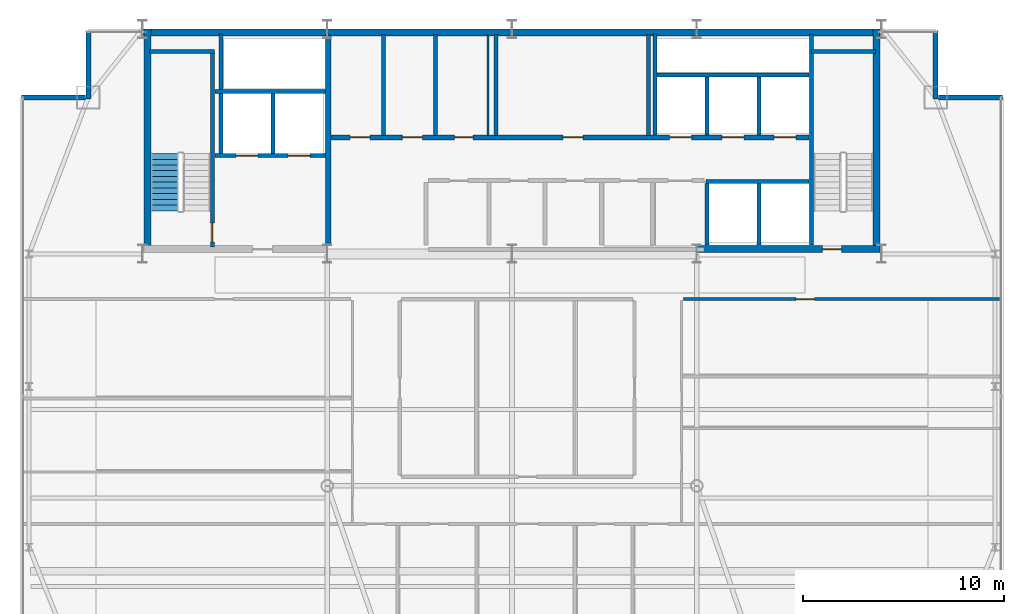
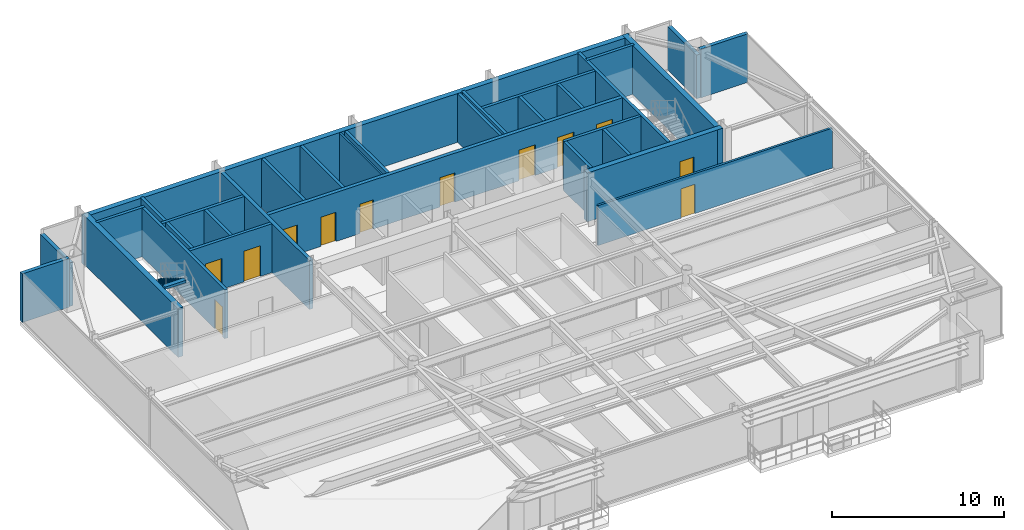
# One storey, part 25 of 28: 31 walls, 12 doors, 1 stair flight, 12 openings, 1 element without a shape of its own.
"""IFC4 building model written with IfcOpenShell, lengths in metres."""

from ifc_helpers import new_model, si_unit, direction, frame, frame_2d, origin, place, context, subcontext, project, spatial, polyline, rectangle, outline, extrude, source, transform, mapped, material, layer, layer_set, type_object, type_shapes, element, fill, aggregate, save


model = new_model("IFC4")

# Units and contexts
model_context = context("Model", 3, precision=1e-05, world=origin(), true_north=direction((0.0, 1.0)))
body_context = subcontext(model_context, "Body", "Model", "MODEL_VIEW")
ifc_project = project(units=[si_unit("LENGTHUNIT", "METRE"), si_unit("AREAUNIT", "SQUARE_METRE"), si_unit("VOLUMEUNIT", "CUBIC_METRE"), si_unit("PLANEANGLEUNIT", "RADIAN"), si_unit("MASSUNIT", "GRAM", prefix="KILO")], contexts=[model_context])

# Site, building, storey
site_placement = place(None, origin())
site = spatial("IfcSite", under=ifc_project, at=site_placement, CompositionType="ELEMENT")
building_placement = place(site_placement, origin())
building = spatial("IfcBuilding", under=site, at=building_placement, Name="Varnel Quay Broadcast Tower", CompositionType="ELEMENT")
storey_placement = place(building_placement, frame((0.0, 0.0, 230.199951171875)))
storey = spatial("IfcBuildingStorey", under=building, at=storey_placement, Name="L57", CompositionType="ELEMENT", Elevation=230.199951171875)

# Wall, opening, door
ifc_material_1 = material(Name="Concrete CSA A23.3 C50/60", Category="concrete")
ifc_layer_1 = layer(ifc_material_1, 0.199951171875, Name="Concrete CSA A23.3 C50/60")
ifc_layer_set_1 = layer_set([ifc_layer_1], Name="Concrete CSA A23.3 C50/60")
wall_type_1 = type_object("IfcWallType", Name="Wall_CoreShaftShear200", PredefinedType="SHEAR", material=ifc_layer_set_1)
wall_1_placement = place(storey_placement, frame((19.080078125, 35.949951171875, 0.0), z_axis=(0.0, 0.0, 1.0), x_axis=(0.0, 1.0, 0.0)))
wall_1 = element("IfcWall", 1, at=wall_1_placement, inside=storey, type_object=wall_type_1, Name="L57 Stair 1 East Structural Wall", PredefinedType="SHEAR", context=body_context, shape_type="SweptSolid", body=[
    extrude(rectangle(XDim=9.650146484375, YDim=0.199951171875, at=frame_2d((4.8251953125, 0.0))), origin(), (0.0, 0.0, 1.0), 3.47998046875),
])
opening_1_placement = place(wall_1_placement, frame((0.25, 0.0, 0.0)))
opening_1 = element("IfcOpeningElement", 2, at=opening_1_placement, cuts=wall_1, Name="Opening D-L57-S1", PredefinedType="OPENING", context=body_context, shape_type="SweptSolid", body=[
    extrude(rectangle(XDim=0.949951171875, YDim=2.10009765625, at=frame_2d((0.47509765625, 1.050048828125))), frame((0.0, 0.10986328125, 0.0), z_axis=(0.0, -1.0, 0.0), x_axis=(1.0, 0.0, 0.0)), (0.0, 0.0, 1.0), 0.219970703125),
])
ifc_material_2 = material(Name="Insulated Fire-Rated Hollow Steel Door", Category="steel")
door_type_1 = type_object("IfcDoorType", Name="Door_FireStair950", OperationType="NOTDEFINED", PredefinedType="DOOR", material=ifc_material_2)
shared_shape_1 = source(origin(), body_context, "Body", "SweptSolid", [
    extrude(rectangle(XDim=0.949951171875, YDim=2.10009765625, at=frame_2d((0.47509765625, 1.050048828125))), frame((0.0, 0.02490234375, 0.0), z_axis=(0.0, -1.0, 0.0), x_axis=(1.0, 0.0, 0.0)), (0.0, 0.0, 1.0), 0.050048828125),
])
type_shapes(door_type_1, [shared_shape_1])
door_1_placement = place(opening_1_placement, origin())
door_1 = element("IfcDoor", 3, at=door_1_placement, inside=storey, type_object=door_type_1, Name="L57 Stair 1 Fire Door", OperationType="SINGLE_SWING_RIGHT", OverallHeight=2.10009765625, OverallWidth=0.949951171875, PredefinedType="DOOR", context=body_context, shape_type="MappedRepresentation", body=[
    mapped(shared_shape_1, transform((0.0, 0.0, 0.0), x_axis=(1.0, 0.0, 0.0), y_axis=(0.0, 1.0, 0.0), z_axis=(0.0, 0.0, 1.0), scale=1.0)),
])
fill(opening_1, door_1)

# Wall
wall_2_placement = place(storey_placement, frame((15.949951171875, 45.679931640625, 0.0), z_axis=(0.0, 0.0, 1.0), x_axis=(1.0, 0.0, 0.0)))
element("IfcWall", 4, at=wall_2_placement, inside=storey, type_object=wall_type_1, Name="L57 Stair 1 North Structural Wall", PredefinedType="SHEAR", context=body_context, shape_type="SweptSolid", body=[
    extrude(rectangle(XDim=3.22998046875, YDim=0.199951171875, at=frame_2d((1.614990234375, 0.0))), origin(), (0.0, 0.0, 1.0), 3.47998046875),
])

# Wall, openings, doors
wall_3_placement = place(storey_placement, frame((19.199951171875, 40.5, 0.0), z_axis=(0.0, 0.0, 1.0), x_axis=(1.0, 0.0, 0.0)))
wall_3 = element("IfcWall", 5, at=wall_3_placement, inside=storey, type_object=wall_type_1, Name="L57 Firefighter Lift Shaft Front Wall", PredefinedType="SHEAR", context=body_context, shape_type="SweptSolid", body=[
    extrude(rectangle(XDim=5.52001953125, YDim=0.199951171875, at=frame_2d((2.760009765625, 0.0))), origin(), (0.0, 0.0, 1.0), 3.47998046875),
])
opening_2_placement = place(wall_3_placement, frame((1.050048828125, 0.0, 0.0)))
opening_2 = element("IfcOpeningElement", 6, at=opening_2_placement, cuts=wall_3, Name="Opening LD-L57-FE1", PredefinedType="OPENING", context=body_context, shape_type="SweptSolid", body=[
    extrude(rectangle(XDim=1.10009765625, YDim=2.179931640625, at=frame_2d((0.550048828125, 1.08984375))), frame((0.0, 0.10986328125, 0.0), z_axis=(0.0, -1.0, 0.0), x_axis=(1.0, 0.0, 0.0)), (0.0, 0.0, 1.0), 0.219970703125),
])
opening_3_placement = place(wall_3_placement, frame((3.64990234375, 0.0, 0.0)))
opening_3 = element("IfcOpeningElement", 7, at=opening_3_placement, cuts=wall_3, Name="Opening LD-L57-FE2", PredefinedType="OPENING", context=body_context, shape_type="SweptSolid", body=[
    extrude(rectangle(XDim=1.10009765625, YDim=2.179931640625, at=frame_2d((0.550048828125, 1.08984375))), frame((0.0, 0.10986328125, 0.0), z_axis=(0.0, -1.0, 0.0), x_axis=(1.0, 0.0, 0.0)), (0.0, 0.0, 1.0), 0.219970703125),
])
ifc_material_3 = material(Name="Brushed Bronze-Stainless Lift Car & Sliding Doors", Category="steel")
door_type_2 = type_object("IfcDoorType", Name="Door_LiftLanding1100", OperationType="SLIDING_TO_LEFT", PredefinedType="DOOR", material=ifc_material_3)
shared_shape_2 = source(origin(), body_context, "Body", "SweptSolid", [
    extrude(rectangle(XDim=1.10009765625, YDim=2.179931640625, at=frame_2d((0.550048828125, 1.08984375))), frame((0.0, 0.02490234375, 0.0), z_axis=(0.0, -1.0, 0.0), x_axis=(1.0, 0.0, 0.0)), (0.0, 0.0, 1.0), 0.050048828125),
])
type_shapes(door_type_2, [shared_shape_2])
door_2_placement = place(opening_2_placement, frame((1.10009765625, 0.0, 0.0), z_axis=(0.0, 0.0, 1.0), x_axis=(-1.0, 0.0, 0.0)))
door_2 = element("IfcDoor", 8, at=door_2_placement, inside=storey, type_object=door_type_2, Name="L57 Firefighter Lift FE-01 Landing Door", OperationType="SLIDING_TO_LEFT", OverallHeight=2.179931640625, OverallWidth=1.10009765625, PredefinedType="DOOR", context=body_context, shape_type="MappedRepresentation", body=[
    mapped(shared_shape_2, transform((0.0, 0.0, 0.0), x_axis=(1.0, 0.0, 0.0), y_axis=(0.0, 1.0, 0.0), z_axis=(0.0, 0.0, 1.0), scale=1.0)),
])
fill(opening_2, door_2)
door_3_placement = place(opening_3_placement, frame((1.10009765625, 0.0, 0.0), z_axis=(0.0, 0.0, 1.0), x_axis=(-1.0, 0.0, 0.0)))
door_3 = element("IfcDoor", 9, at=door_3_placement, inside=storey, type_object=door_type_2, Name="L57 Firefighter Lift FE-02 Landing Door", OperationType="SLIDING_TO_RIGHT", OverallHeight=2.179931640625, OverallWidth=1.10009765625, PredefinedType="DOOR", context=body_context, shape_type="MappedRepresentation", body=[
    mapped(shared_shape_2, transform((0.0, 0.0, 0.0), x_axis=(1.0, 0.0, 0.0), y_axis=(0.0, 1.0, 0.0), z_axis=(0.0, 0.0, 1.0), scale=1.0)),
])
fill(opening_3, door_3)

# Walls
wall_4_placement = place(storey_placement, frame((19.199951171875, 43.699951171875, 0.0), z_axis=(0.0, 0.0, 1.0), x_axis=(1.0, 0.0, 0.0)))
element("IfcWall", 10, at=wall_4_placement, inside=storey, type_object=wall_type_1, Name="L57 Firefighter Lift Shaft Rear Wall", PredefinedType="SHEAR", context=body_context, shape_type="SweptSolid", body=[
    extrude(rectangle(XDim=5.52001953125, YDim=0.199951171875, at=frame_2d((2.760009765625, 0.0))), origin(), (0.0, 0.0, 1.0), 3.47998046875),
])
wall_5_placement = place(storey_placement, frame((22.10009765625, 40.60009765625, 0.0), z_axis=(0.0, 0.0, 1.0), x_axis=(0.0, 1.0, 0.0)))
element("IfcWall", 11, at=wall_5_placement, inside=storey, type_object=wall_type_1, Name="L57 Firefighter Lift Shaft Divider", PredefinedType="SHEAR", context=body_context, shape_type="SweptSolid", body=[
    extrude(rectangle(XDim=3.0, YDim=0.199951171875, at=frame_2d((1.5, 0.0))), origin(), (0.0, 0.0, 1.0), 3.47998046875),
])
wall_6_placement = place(storey_placement, frame((19.5, 40.60009765625, 0.0), z_axis=(0.0, 0.0, 1.0), x_axis=(0.0, 1.0, 0.0)))
element("IfcWall", 12, at=wall_6_placement, inside=storey, type_object=wall_type_1, Name="L57 Firefighter Lift Shaft West Wall", PredefinedType="SHEAR", context=body_context, shape_type="SweptSolid", body=[
    extrude(rectangle(XDim=5.949951171875, YDim=0.199951171875, at=frame_2d((2.97509765625, 0.0))), origin(), (0.0, 0.0, 1.0), 3.47998046875),
])
wall_7_placement = place(storey_placement, frame((48.919921875, 36.050048828125, 0.0), z_axis=(0.0, 0.0, 1.0), x_axis=(0.0, 1.0, 0.0)))
element("IfcWall", 13, at=wall_7_placement, inside=storey, type_object=wall_type_1, Name="L57 Stair 2 West Structural Wall", PredefinedType="SHEAR", context=body_context, shape_type="SweptSolid", body=[
    extrude(rectangle(XDim=10.5, YDim=0.199951171875, at=frame_2d((5.25, 0.0))), origin(), (0.0, 0.0, 1.0), 3.47998046875),
])
wall_8_placement = place(storey_placement, frame((48.919921875, 45.679931640625, 0.0), z_axis=(0.0, 0.0, 1.0), x_axis=(1.0, 0.0, 0.0)))
element("IfcWall", 14, at=wall_8_placement, inside=storey, type_object=wall_type_1, Name="L57 Stair 2 North Structural Wall", PredefinedType="SHEAR", context=body_context, shape_type="SweptSolid", body=[
    extrude(rectangle(XDim=3.18017578125, YDim=0.199951171875, at=frame_2d((1.590087890625, 0.0))), origin(), (0.0, 0.0, 1.0), 3.47998046875),
])
wall_9_placement = place(storey_placement, frame((41.219970703125, 44.5, 0.0), z_axis=(0.0, 0.0, 1.0), x_axis=(1.0, 0.0, 0.0)))
element("IfcWall", 15, at=wall_9_placement, inside=storey, type_object=wall_type_1, Name="L57 High-Rise Lift Shaft Rear Wall", PredefinedType="SHEAR", context=body_context, shape_type="SweptSolid", body=[
    extrude(rectangle(XDim=7.580078125, YDim=0.199951171875, at=frame_2d((3.7900390625, 0.0))), origin(), (0.0, 0.0, 1.0), 3.47998046875),
])
wall_10_placement = place(storey_placement, frame((41.1201171875, 41.530029296875, 0.0), z_axis=(0.0, 0.0, 1.0), x_axis=(0.0, 1.0, 0.0)))
element("IfcWall", 16, at=wall_10_placement, inside=storey, type_object=wall_type_1, Name="L57 High-Rise Lift Shaft Divider 1", PredefinedType="SHEAR", context=body_context, shape_type="SweptSolid", body=[
    extrude(rectangle(XDim=5.02001953125, YDim=0.199951171875, at=frame_2d((2.510009765625, 0.0))), origin(), (0.0, 0.0, 1.0), 3.47998046875),
])
for number, where, z_axis, x_axis, name in (
    (17, (43.699951171875, 41.530029296875, 0.0), (0.0, 0.0, 1.0), (0.0, 1.0, 0.0), "L57 High-Rise Lift Shaft Divider 2"),
    (18, (46.300048828125, 41.530029296875, 0.0), (0.0, 0.0, 1.0), (0.0, 1.0, 0.0), "L57 High-Rise Lift Shaft Divider 3"),
):
    element("IfcWall", number, at=place(storey_placement, frame(where, z_axis=z_axis, x_axis=x_axis)), inside=storey, type_object=wall_type_1, Name=name, PredefinedType="SHEAR", context=body_context, shape_type="SweptSolid", body=[
        extrude(rectangle(XDim=2.869873046875, YDim=0.199951171875, at=frame_2d((1.43505859375, 0.0))), origin(), (0.0, 0.0, 1.0), 3.47998046875),
    ])
for number, where, z_axis, x_axis, name in (
    (19, (43.699951171875, 36.050048828125, 0.0), (0.0, 0.0, 1.0), (0.0, 1.0, 0.0), "L57 Express Lift Shaft West Wall"),
    (20, (46.300048828125, 36.050048828125, 0.0), (0.0, 0.0, 1.0), (0.0, 1.0, 0.0), "L57 Express Lift Shaft Divider"),
):
    element("IfcWall", number, at=place(storey_placement, frame(where, z_axis=z_axis, x_axis=x_axis)), inside=storey, type_object=wall_type_1, Name=name, PredefinedType="SHEAR", context=body_context, shape_type="SweptSolid", body=[
        extrude(rectangle(XDim=3.050048828125, YDim=0.199951171875, at=frame_2d((1.52490234375, 0.0))), origin(), (0.0, 0.0, 1.0), 3.47998046875),
    ])
wall_11_placement = place(storey_placement, frame((43.64990234375, 39.199951171875, 0.0), z_axis=(0.0, 0.0, 1.0), x_axis=(1.0, 0.0, 0.0)))
element("IfcWall", 21, at=wall_11_placement, inside=storey, type_object=wall_type_1, Name="L57 Express Lift Shaft North Front Wall", PredefinedType="SHEAR", context=body_context, shape_type="SweptSolid", body=[
    extrude(rectangle(XDim=5.150146484375, YDim=0.199951171875, at=frame_2d((2.5751953125, 0.0))), origin(), (0.0, 0.0, 1.0), 3.47998046875),
])
ifc_layer_2 = layer(ifc_material_1, 0.25, Name="Concrete CSA A23.3 C50/60")
ifc_layer_set_2 = layer_set([ifc_layer_2], Name="Concrete CSA A23.3 C50/60")
wall_type_2 = type_object("IfcWallType", Name="Wall_CoreShaftShear250", PredefinedType="SHEAR", material=ifc_layer_set_2)
wall_12_placement = place(storey_placement, frame((24.85009765625, 36.050048828125, 0.0), z_axis=(0.0, 0.0, 1.0), x_axis=(0.0, 1.0, 0.0)))
element("IfcWall", 22, at=wall_12_placement, inside=storey, type_object=wall_type_2, Name="L57 Firefighting Lobby East Structural Wall", PredefinedType="SHEAR", context=body_context, shape_type="SweptSolid", body=[
    extrude(rectangle(XDim=10.449951171875, YDim=0.25, at=frame_2d((5.22509765625, 0.0))), origin(), (0.0, 0.0, 1.0), 3.47998046875),
])

# Wall, openings, doors
wall_13_placement = place(storey_placement, frame((24.97998046875, 41.39990234375, 0.0), z_axis=(0.0, 0.0, 1.0), x_axis=(1.0, 0.0, 0.0)))
wall_13 = element("IfcWall", 23, at=wall_13_placement, inside=storey, type_object=wall_type_2, Name="L57 North Lift Bank & Reclaimed Suite Wall", PredefinedType="SHEAR", context=body_context, shape_type="SweptSolid", body=[
    extrude(rectangle(XDim=23.820068359375, YDim=0.25, at=frame_2d((11.91015625, 0.0))), origin(), (0.0, 0.0, 1.0), 3.47998046875),
])
opening_4_placement = place(wall_13_placement, frame((16.8701171875, 0.0, 0.0)))
opening_4 = element("IfcOpeningElement", 24, at=opening_4_placement, cuts=wall_13, Name="Opening LD-L57-PH-01", PredefinedType="OPENING", context=body_context, shape_type="SweptSolid", body=[
    extrude(rectangle(XDim=1.10009765625, YDim=2.179931640625, at=frame_2d((0.550048828125, 1.08984375))), frame((0.0, 0.135009765625, 0.0), z_axis=(0.0, -1.0, 0.0), x_axis=(1.0, 0.0, 0.0)), (0.0, 0.0, 1.0), 0.27001953125),
])
opening_5_placement = place(wall_13_placement, frame((19.469970703125, 0.0, 0.0)))
opening_5 = element("IfcOpeningElement", 25, at=opening_5_placement, cuts=wall_13, Name="Opening LD-L57-PH-02", PredefinedType="OPENING", context=body_context, shape_type="SweptSolid", body=[
    extrude(rectangle(XDim=1.10009765625, YDim=2.179931640625, at=frame_2d((0.550048828125, 1.08984375))), frame((0.0, 0.135009765625, 0.0), z_axis=(0.0, -1.0, 0.0), x_axis=(1.0, 0.0, 0.0)), (0.0, 0.0, 1.0), 0.27001953125),
])
opening_6_placement = place(wall_13_placement, frame((22.070068359375, 0.0, 0.0)))
opening_6 = element("IfcOpeningElement", 26, at=opening_6_placement, cuts=wall_13, Name="Opening LD-L57-PH-03", PredefinedType="OPENING", context=body_context, shape_type="SweptSolid", body=[
    extrude(rectangle(XDim=1.10009765625, YDim=2.179931640625, at=frame_2d((0.550048828125, 1.08984375))), frame((0.0, 0.135009765625, 0.0), z_axis=(0.0, -1.0, 0.0), x_axis=(1.0, 0.0, 0.0)), (0.0, 0.0, 1.0), 0.27001953125),
])
opening_7_placement = place(wall_13_placement, frame((0.9599609375, 0.0, 0.0)))
opening_7 = element("IfcOpeningElement", 27, at=opening_7_placement, cuts=wall_13, Name="Opening D-L57-RECA1", PredefinedType="OPENING", context=body_context, shape_type="SweptSolid", body=[
    extrude(rectangle(XDim=1.0, YDim=2.080078125, at=frame_2d((0.5, 1.0400390625))), frame((0.0, 0.135009765625, 0.0), z_axis=(0.0, -1.0, 0.0), x_axis=(1.0, 0.0, 0.0)), (0.0, 0.0, 1.0), 0.27001953125),
])
opening_8_placement = place(wall_13_placement, frame((3.56005859375, 0.0, 0.0)))
opening_8 = element("IfcOpeningElement", 28, at=opening_8_placement, cuts=wall_13, Name="Opening D-L57-RECA2", PredefinedType="OPENING", context=body_context, shape_type="SweptSolid", body=[
    extrude(rectangle(XDim=1.0, YDim=2.080078125, at=frame_2d((0.5, 1.0400390625))), frame((0.0, 0.135009765625, 0.0), z_axis=(0.0, -1.0, 0.0), x_axis=(1.0, 0.0, 0.0)), (0.0, 0.0, 1.0), 0.27001953125),
])
opening_9_placement = place(wall_13_placement, frame((6.159912109375, 0.0, 0.0)))
opening_9 = element("IfcOpeningElement", 29, at=opening_9_placement, cuts=wall_13, Name="Opening D-L57-RECA3", PredefinedType="OPENING", context=body_context, shape_type="SweptSolid", body=[
    extrude(rectangle(XDim=0.919921875, YDim=2.080078125, at=frame_2d((0.4599609375, 1.0400390625))), frame((0.0, 0.135009765625, 0.0), z_axis=(0.0, -1.0, 0.0), x_axis=(1.0, 0.0, 0.0)), (0.0, 0.0, 1.0), 0.27001953125),
])
opening_10_placement = place(wall_13_placement, frame((11.56005859375, 0.0, 0.0)))
opening_10 = element("IfcOpeningElement", 30, at=opening_10_placement, cuts=wall_13, Name="Opening D-L57-RECB1", PredefinedType="OPENING", context=body_context, shape_type="SweptSolid", body=[
    extrude(rectangle(XDim=1.0, YDim=2.080078125, at=frame_2d((0.5, 1.0400390625))), frame((0.0, 0.135009765625, 0.0), z_axis=(0.0, -1.0, 0.0), x_axis=(1.0, 0.0, 0.0)), (0.0, 0.0, 1.0), 0.27001953125),
])
door_4_placement = place(opening_4_placement, frame((1.10009765625, 0.0, 0.0), z_axis=(0.0, 0.0, 1.0), x_axis=(-1.0, 0.0, 0.0)))
door_4 = element("IfcDoor", 31, at=door_4_placement, inside=storey, type_object=door_type_2, Name="L57 Lift PH-01 Landing Door", OperationType="SLIDING_TO_LEFT", OverallHeight=2.179931640625, OverallWidth=1.10009765625, PredefinedType="DOOR", context=body_context, shape_type="MappedRepresentation", body=[
    mapped(shared_shape_2, transform((0.0, 0.0, 0.0), x_axis=(1.0, 0.0, 0.0), y_axis=(0.0, 1.0, 0.0), z_axis=(0.0, 0.0, 1.0), scale=1.0)),
])
fill(opening_4, door_4)
door_5_placement = place(opening_5_placement, frame((1.10009765625, 0.0, 0.0), z_axis=(0.0, 0.0, 1.0), x_axis=(-1.0, 0.0, 0.0)))
door_5 = element("IfcDoor", 32, at=door_5_placement, inside=storey, type_object=door_type_2, Name="L57 Lift PH-02 Landing Door", OperationType="SLIDING_TO_LEFT", OverallHeight=2.179931640625, OverallWidth=1.10009765625, PredefinedType="DOOR", context=body_context, shape_type="MappedRepresentation", body=[
    mapped(shared_shape_2, transform((0.0, 0.0, 0.0), x_axis=(1.0, 0.0, 0.0), y_axis=(0.0, 1.0, 0.0), z_axis=(0.0, 0.0, 1.0), scale=1.0)),
])
fill(opening_5, door_5)
door_6_placement = place(opening_6_placement, frame((1.10009765625, 0.0, 0.0), z_axis=(0.0, 0.0, 1.0), x_axis=(-1.0, 0.0, 0.0)))
door_6 = element("IfcDoor", 33, at=door_6_placement, inside=storey, type_object=door_type_2, Name="L57 Lift PH-03 Landing Door", OperationType="SLIDING_TO_LEFT", OverallHeight=2.179931640625, OverallWidth=1.10009765625, PredefinedType="DOOR", context=body_context, shape_type="MappedRepresentation", body=[
    mapped(shared_shape_2, transform((0.0, 0.0, 0.0), x_axis=(1.0, 0.0, 0.0), y_axis=(0.0, 1.0, 0.0), z_axis=(0.0, 0.0, 1.0), scale=1.0)),
])
fill(opening_6, door_6)
door_type_3 = type_object("IfcDoorType", Name="Door_FireLobby1000", OperationType="NOTDEFINED", PredefinedType="DOOR", material=ifc_material_2)
shared_shape_3 = source(origin(), body_context, "Body", "SweptSolid", [
    extrude(rectangle(XDim=1.0, YDim=2.080078125, at=frame_2d((0.5, 1.0400390625))), frame((0.0, 0.02490234375, 0.0), z_axis=(0.0, -1.0, 0.0), x_axis=(1.0, 0.0, 0.0)), (0.0, 0.0, 1.0), 0.050048828125),
])
type_shapes(door_type_3, [shared_shape_3])
door_7_placement = place(opening_7_placement, origin())
door_7 = element("IfcDoor", 34, at=door_7_placement, inside=storey, type_object=door_type_3, Name="L57 Ingest Rack Bay A Door", OperationType="SINGLE_SWING_LEFT", OverallHeight=2.080078125, OverallWidth=1.0, PredefinedType="DOOR", context=body_context, shape_type="MappedRepresentation", body=[
    mapped(shared_shape_3, transform((0.0, 0.0, 0.0), x_axis=(1.0, 0.0, 0.0), y_axis=(0.0, 1.0, 0.0), z_axis=(0.0, 0.0, 1.0), scale=1.0)),
])
fill(opening_7, door_7)
door_8_placement = place(opening_8_placement, origin())
door_8 = element("IfcDoor", 35, at=door_8_placement, inside=storey, type_object=door_type_3, Name="L57 Fiber Patch Bay Door", OperationType="SINGLE_SWING_RIGHT", OverallHeight=2.080078125, OverallWidth=1.0, PredefinedType="DOOR", context=body_context, shape_type="MappedRepresentation", body=[
    mapped(shared_shape_3, transform((0.0, 0.0, 0.0), x_axis=(1.0, 0.0, 0.0), y_axis=(0.0, 1.0, 0.0), z_axis=(0.0, 0.0, 1.0), scale=1.0)),
])
fill(opening_8, door_8)
door_9_placement = place(opening_10_placement, origin())
door_9 = element("IfcDoor", 36, at=door_9_placement, inside=storey, type_object=door_type_3, Name="L57 High-Zone Broadcast Rack Hall Door", OperationType="SINGLE_SWING_RIGHT", OverallHeight=2.080078125, OverallWidth=1.0, PredefinedType="DOOR", context=body_context, shape_type="MappedRepresentation", body=[
    mapped(shared_shape_3, transform((0.0, 0.0, 0.0), x_axis=(1.0, 0.0, 0.0), y_axis=(0.0, 1.0, 0.0), z_axis=(0.0, 0.0, 1.0), scale=1.0)),
])
fill(opening_10, door_9)
ifc_material_4 = material(Name="Solid-Core Fire-Rated Acoustic Oak Veneer Door", Category="wood")
door_type_4 = type_object("IfcDoorType", Name="Door_Office920", OperationType="NOTDEFINED", PredefinedType="DOOR", material=ifc_material_4)
shared_shape_4 = source(origin(), body_context, "Body", "SweptSolid", [
    extrude(rectangle(XDim=0.919921875, YDim=2.080078125, at=frame_2d((0.4599609375, 1.0400390625))), frame((0.0, 0.02490234375, 0.0), z_axis=(0.0, -1.0, 0.0), x_axis=(1.0, 0.0, 0.0)), (0.0, 0.0, 1.0), 0.050048828125),
])
type_shapes(door_type_4, [shared_shape_4])
door_10_placement = place(opening_9_placement, origin())
door_10 = element("IfcDoor", 37, at=door_10_placement, inside=storey, type_object=door_type_4, Name="L57 Telemetry Store Door", OperationType="SINGLE_SWING_LEFT", OverallHeight=2.080078125, OverallWidth=0.919921875, PredefinedType="DOOR", context=body_context, shape_type="MappedRepresentation", body=[
    mapped(shared_shape_4, transform((0.0, 0.0, 0.0), x_axis=(1.0, 0.0, 0.0), y_axis=(0.0, 1.0, 0.0), z_axis=(0.0, 0.0, 1.0), scale=1.0)),
])
fill(opening_9, door_10)

# Walls
ifc_layer_3 = layer(ifc_material_1, 0.35009765625, Name="Concrete CSA A23.3 C50/60")
ifc_layer_set_3 = layer_set([ifc_layer_3], Name="Concrete CSA A23.3 C50/60")
wall_type_3 = type_object("IfcWallType", Name="Wall_CoreShearExt350", PredefinedType="SHEAR", material=ifc_layer_set_3)
wall_14_placement = place(storey_placement, frame((15.60009765625, 46.625, 0.0), z_axis=(0.0, 0.0, 1.0), x_axis=(1.0, 0.0, 0.0)))
element("IfcWall", 38, at=wall_14_placement, inside=storey, type_object=wall_type_3, Name="L57 North Core Shear Wall", PredefinedType="SHEAR", context=body_context, shape_type="SweptSolid", body=[
    extrude(rectangle(XDim=36.7998046875, YDim=0.35009765625, at=frame_2d((18.39990234375, 0.0))), origin(), (0.0, 0.0, 1.0), 3.47998046875),
])
ifc_layer_4 = layer(ifc_material_1, 0.35009765625, Name="Concrete CSA A23.3 C50/60")
ifc_layer_set_4 = layer_set([ifc_layer_4], Name="Concrete CSA A23.3 C50/60")
wall_type_4 = type_object("IfcWallType", Name="Wall_CoreShearInt350", PredefinedType="SHEAR", material=ifc_layer_set_4)
for number, where, z_axis, x_axis, name in (
    (39, (15.844970703125, 35.669921875, 0.0), (0.0, 0.0, 1.0), (0.0, 1.0, 0.0), "L57 West Core Shear Wall"),
    (40, (52.155029296875, 35.669921875, 0.0), (0.0, 0.0, 1.0), (0.0, 1.0, 0.0), "L57 East Core Shear Wall"),
):
    element("IfcWall", number, at=place(storey_placement, frame(where, z_axis=z_axis, x_axis=x_axis)), inside=storey, type_object=wall_type_4, Name=name, PredefinedType="SHEAR", context=body_context, shape_type="SweptSolid", body=[
        extrude(rectangle(XDim=11.130126953125, YDim=0.35009765625, at=frame_2d((5.56494140625, 0.0))), origin(), (0.0, 0.0, 1.0), 3.47998046875),
    ])

# Wall, opening, door
wall_15_placement = place(storey_placement, frame((43.199951171875, 35.844970703125, 0.0), z_axis=(0.0, 0.0, 1.0), x_axis=(1.0, 0.0, 0.0)))
wall_15 = element("IfcWall", 41, at=wall_15_placement, inside=storey, type_object=wall_type_4, Name="L57 South-East Core Shear Wall", PredefinedType="SHEAR", context=body_context, shape_type="SweptSolid", body=[
    extrude(rectangle(XDim=9.130126953125, YDim=0.35009765625, at=frame_2d((4.56494140625, 0.0))), origin(), (0.0, 0.0, 1.0), 3.47998046875),
])
opening_11_placement = place(wall_15_placement, frame((6.25, 0.0, 0.0)))
opening_11 = element("IfcOpeningElement", 42, at=opening_11_placement, cuts=wall_15, Name="Opening D-L57-S2", PredefinedType="OPENING", context=body_context, shape_type="SweptSolid", body=[
    extrude(rectangle(XDim=0.949951171875, YDim=2.10009765625, at=frame_2d((0.47509765625, 1.050048828125))), frame((0.0, 0.18505859375, 0.0), z_axis=(0.0, -1.0, 0.0), x_axis=(1.0, 0.0, 0.0)), (0.0, 0.0, 1.0), 0.3701171875),
])
door_11_placement = place(opening_11_placement, origin())
door_11 = element("IfcDoor", 43, at=door_11_placement, inside=storey, type_object=door_type_1, Name="L57 Stair 2 Fire Door", OperationType="SINGLE_SWING_RIGHT", OverallHeight=2.10009765625, OverallWidth=0.949951171875, PredefinedType="DOOR", context=body_context, shape_type="MappedRepresentation", body=[
    mapped(shared_shape_1, transform((0.0, 0.0, 0.0), x_axis=(1.0, 0.0, 0.0), y_axis=(0.0, 1.0, 0.0), z_axis=(0.0, 0.0, 1.0), scale=1.0)),
])
fill(opening_11, door_11)

# Walls
ifc_material_5 = material(Name="Precast Architectural Concrete C40/50", Category="concrete")
ifc_layer_5 = layer(ifc_material_5, 0.25, Name="Precast Architectural Concrete C40/50")
ifc_layer_set_5 = layer_set([ifc_layer_5], Name="Precast Architectural Concrete C40/50")
wall_type_5 = type_object("IfcWallType", Name="Wall_ExtTerrace250", PredefinedType="SOLIDWALL", material=ifc_layer_set_5)
wall_16_placement = place(storey_placement, frame((9.580078125, 43.39990234375, 0.0), z_axis=(0.0, 0.0, 1.0), x_axis=(1.0, 0.0, 0.0)))
element("IfcWall", 44, at=wall_16_placement, inside=storey, type_object=wall_type_5, Name="L57 Mega-Column Notch Cladding Wall NNW1", PredefinedType="SOLIDWALL", context=body_context, shape_type="SweptSolid", body=[
    extrude(rectangle(XDim=3.18994140625, YDim=0.25, at=frame_2d((1.594970703125, 0.0))), origin(), (0.0, 0.0, 1.0), 3.4599609375),
])
wall_17_placement = place(storey_placement, frame((12.89990234375, 43.320068359375, 0.0), z_axis=(0.0, 0.0, 1.0), x_axis=(0.0, 1.0, 0.0)))
element("IfcWall", 45, at=wall_17_placement, inside=storey, type_object=wall_type_5, Name="L57 Mega-Column Notch Cladding Wall NNW2", PredefinedType="SOLIDWALL", context=body_context, shape_type="SweptSolid", body=[
    extrude(rectangle(XDim=3.39990234375, YDim=0.25, at=frame_2d((1.699951171875, 0.0))), origin(), (0.0, 0.0, 1.0), 3.10107421875),
])
wall_18_placement = place(storey_placement, frame((55.22998046875, 43.39990234375, 0.0), z_axis=(0.0, 0.0, 1.0), x_axis=(1.0, 0.0, 0.0)))
element("IfcWall", 46, at=wall_18_placement, inside=storey, type_object=wall_type_5, Name="L57 Mega-Column Notch Cladding Wall NNE1", PredefinedType="SOLIDWALL", context=body_context, shape_type="SweptSolid", body=[
    extrude(rectangle(XDim=3.18994140625, YDim=0.25, at=frame_2d((1.594970703125, 0.0))), origin(), (0.0, 0.0, 1.0), 3.4599609375),
])
wall_19_placement = place(storey_placement, frame((55.10009765625, 43.320068359375, 0.0), z_axis=(0.0, 0.0, 1.0), x_axis=(0.0, 1.0, 0.0)))
element("IfcWall", 47, at=wall_19_placement, inside=storey, type_object=wall_type_5, Name="L57 Mega-Column Notch Cladding Wall NNE2", PredefinedType="SOLIDWALL", context=body_context, shape_type="SweptSolid", body=[
    extrude(rectangle(XDim=3.39990234375, YDim=0.25, at=frame_2d((1.699951171875, 0.0))), origin(), (0.0, 0.0, 1.0), 3.10107421875),
])
ifc_material_6 = material(Name="Concrete Blockwork Fire Enclosure C40/50", Category="masonry")
ifc_layer_6 = layer(ifc_material_6, 0.199951171875, Name="Concrete Blockwork Fire Enclosure C40/50")
ifc_layer_set_6 = layer_set([ifc_layer_6], Name="Concrete Blockwork Fire Enclosure C40/50")
wall_type_6 = type_object("IfcWallType", Name="Wall_FireShaft200", PredefinedType="SOLIDWALL", material=ifc_layer_set_6)
for number, where, z_axis, x_axis, name in (
    (48, (27.60009765625, 41.5, 0.0), (0.0, 0.0, 1.0), (0.0, 1.0, 0.0), "L57 Ingest Rack Bay A Partition 27"),
    (49, (30.199951171875, 41.5, 0.0), (0.0, 0.0, 1.0), (0.0, 1.0, 0.0), "L57 Fiber Patch Bay Partition 28"),
    (50, (40.800048828125, 41.5, 0.0), (0.0, 0.0, 1.0), (0.0, 1.0, 0.0), "L57 High-Zone Broadcast Rack Hall Partition 30"),
    (51, (33.199951171875, 41.5, 0.0), (0.0, 0.0, 1.0), (0.0, 1.0, 0.0), "L57 High-Zone Broadcast Rack Hall Partition 31"),
):
    element("IfcWall", number, at=place(storey_placement, frame(where, z_axis=z_axis, x_axis=x_axis)), inside=storey, type_object=wall_type_6, Name=name, PredefinedType="SOLIDWALL", context=body_context, shape_type="SweptSolid", body=[
        extrude(rectangle(XDim=5.02001953125, YDim=0.199951171875, at=frame_2d((2.510009765625, 0.0))), origin(), (0.0, 0.0, 1.0), 3.4599609375),
    ])
ifc_material_7 = material(Name="Steel-Stud Fire-Rated Acoustic Gypsum Partition Assembly", Category="steel")
ifc_layer_7 = layer(ifc_material_7, 0.10498046875, Name="Steel-Stud Fire-Rated Acoustic Gypsum Partition Assembly")
ifc_layer_set_7 = layer_set([ifc_layer_7], Name="Steel-Stud Fire-Rated Acoustic Gypsum Partition Assembly")
wall_type_7 = type_object("IfcWallType", Name="Wall_Partition105", PredefinedType="PARTITIONING", material=ifc_layer_set_7)
wall_20_placement = place(storey_placement, frame((32.800048828125, 41.5, 0.0), z_axis=(0.0, 0.0, 1.0), x_axis=(0.0, 1.0, 0.0)))
element("IfcWall", 52, at=wall_20_placement, inside=storey, type_object=wall_type_7, Name="L57 Telemetry Store Partition 29", PredefinedType="PARTITIONING", context=body_context, shape_type="SweptSolid", body=[
    extrude(rectangle(XDim=5.02001953125, YDim=0.10498046875, at=frame_2d((2.510009765625, 0.0))), origin(), (0.0, 0.0, 1.0), 3.4599609375),
])

# Wall, opening, door
ifc_layer_8 = layer(ifc_material_7, 0.14990234375, Name="Steel-Stud Fire-Rated Acoustic Gypsum Partition Assembly")
ifc_layer_set_8 = layer_set([ifc_layer_8], Name="Steel-Stud Fire-Rated Acoustic Gypsum Partition Assembly")
wall_type_8 = type_object("IfcWallType", Name="Wall_Partition150", PredefinedType="PARTITIONING", material=ifc_layer_set_8)
wall_21_placement = place(storey_placement, frame((42.550048828125, 33.35009765625, 0.0), z_axis=(0.0, 0.0, 1.0), x_axis=(1.0, 0.0, 0.0)))
wall_21 = element("IfcWall", 53, at=wall_21_placement, inside=storey, type_object=wall_type_8, Name="L57 Assignment Desk 14 Partition 26", PredefinedType="PARTITIONING", context=body_context, shape_type="SweptSolid", body=[
    extrude(rectangle(XDim=15.77001953125, YDim=0.14990234375, at=frame_2d((7.885009765625, 0.0))), origin(), (0.0, 0.0, 1.0), 2.838134765625),
])
opening_12_placement = place(wall_21_placement, frame((5.590087890625, 0.0, 0.0)))
opening_12 = element("IfcOpeningElement", 54, at=opening_12_placement, cuts=wall_21, Name="Opening D-L57-19", PredefinedType="OPENING", context=body_context, shape_type="SweptSolid", body=[
    extrude(rectangle(XDim=0.919921875, YDim=2.080078125, at=frame_2d((0.4599609375, 1.0400390625))), frame((0.0, 0.0849609375, 0.0), z_axis=(0.0, -1.0, 0.0), x_axis=(1.0, 0.0, 0.0)), (0.0, 0.0, 1.0), 0.169921875),
])
door_12_placement = place(opening_12_placement, frame((0.919921875, 0.0, 0.0), z_axis=(0.0, 0.0, 1.0), x_axis=(-1.0, 0.0, 0.0)))
door_12 = element("IfcDoor", 55, at=door_12_placement, inside=storey, type_object=door_type_4, Name="L57 Assignment Desk 14 Door D-L57-19", OperationType="SINGLE_SWING_LEFT", OverallHeight=2.080078125, OverallWidth=0.919921875, PredefinedType="DOOR", context=body_context, shape_type="MappedRepresentation", body=[
    mapped(shared_shape_4, transform((0.0, 0.0, 0.0), x_axis=(1.0, 0.0, 0.0), y_axis=(0.0, 1.0, 0.0), z_axis=(0.0, 0.0, 1.0), scale=1.0)),
])
fill(opening_12, door_12)

# Stair, stair flight
ifc_material_8 = material(Name="Precast Structural Concrete C40/50", Category="concrete")
stair_type = type_object("IfcStairType", Name="Stair_ST-01", PredefinedType="HALF_TURN_STAIR", material=ifc_material_8)
stair_placement = place(storey_placement, origin())
stair = element("IfcStair", 56, at=stair_placement, inside=storey, type_object=stair_type, Name="L57 West Core Exit Stair 1", PredefinedType="HALF_TURN_STAIR")
stair_flight_type = type_object("IfcStairFlightType", Name="Flight_ST-01", PredefinedType="STRAIGHT", material=ifc_material_8)
stair_flight_placement = place(storey_placement, frame((16.699951171875, 40.60009765625, 1.900146484375), z_axis=(0.0, 0.0, 1.0), x_axis=(0.0, -1.0, 0.0)))
stair_flight = element("IfcStairFlight", 57, at=stair_flight_placement, type_object=stair_flight_type, Name="ST-01 flight 2", NumberOfRisers=11, NumberOfTreads=10, PredefinedType="STRAIGHT", RiserHeight=0.172727273, TreadLength=0.285, context=body_context, shape_type="SweptSolid", body=[
    extrude(outline(polyline([(0.0, 0.0), (0.0, 0.172607421875), (0.284912109375, 0.172607421875), (0.284912109375, 0.345458984375), (0.570068359375, 0.345458984375), (0.570068359375, 0.51806640625), (0.85498046875, 0.51806640625), (0.85498046875, 0.69091796875), (1.139892578125, 0.69091796875), (1.139892578125, 0.863525390625), (1.425048828125, 0.863525390625), (1.425048828125, 1.036376953125), (1.7099609375, 1.036376953125), (1.7099609375, 1.208984375), (1.9951171875, 1.208984375), (1.9951171875, 1.3818359375), (2.280029296875, 1.3818359375), (2.280029296875, 1.554443359375), (2.56494140625, 1.554443359375), (2.56494140625, 1.727294921875), (2.85009765625, 1.727294921875), (2.85009765625, 1.89990234375), (2.85009765625, 1.552001953125), (0.289306640625, 0.0), (0.0, 0.0)])), frame((0.0, 0.699951171875, 0.0), z_axis=(0.0, -1.0, 0.0), x_axis=(1.0, 0.0, 0.0)), (0.0, 0.0, 1.0), 1.39990234375),
])
aggregate(stair, [stair_flight])

save(model, "model.ifc")
